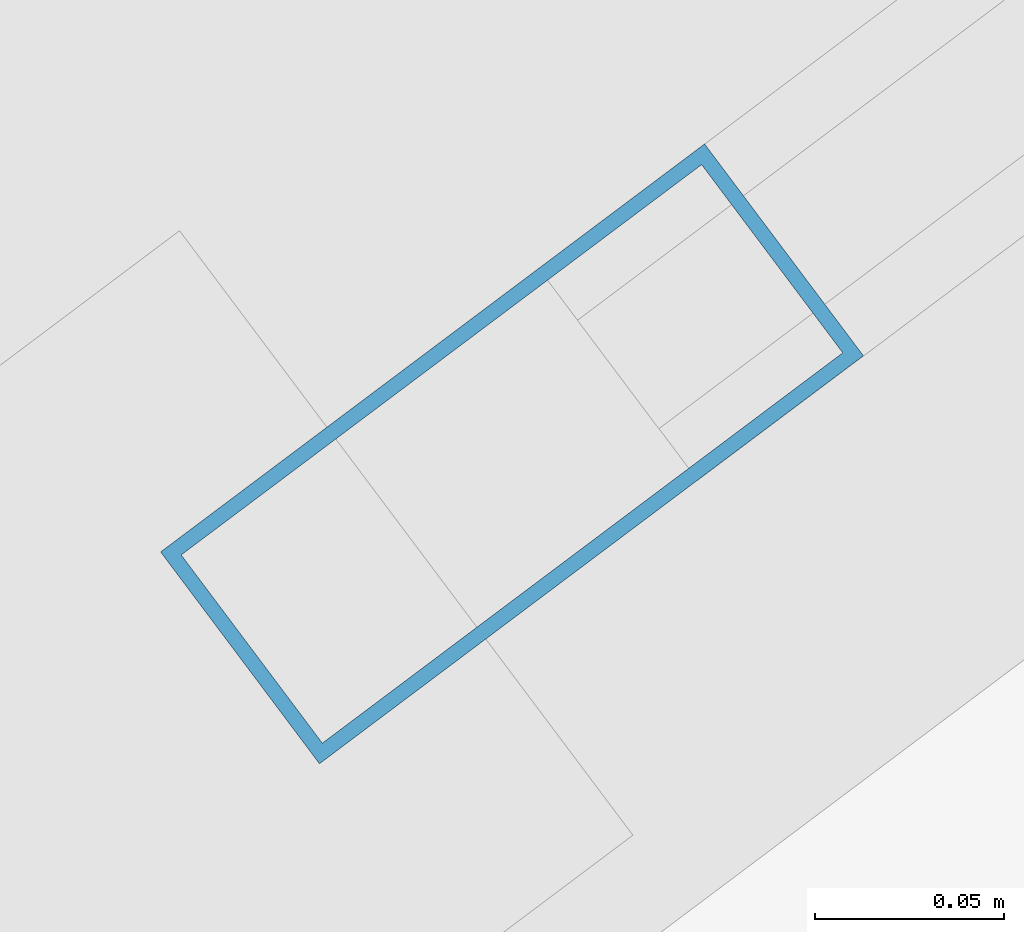
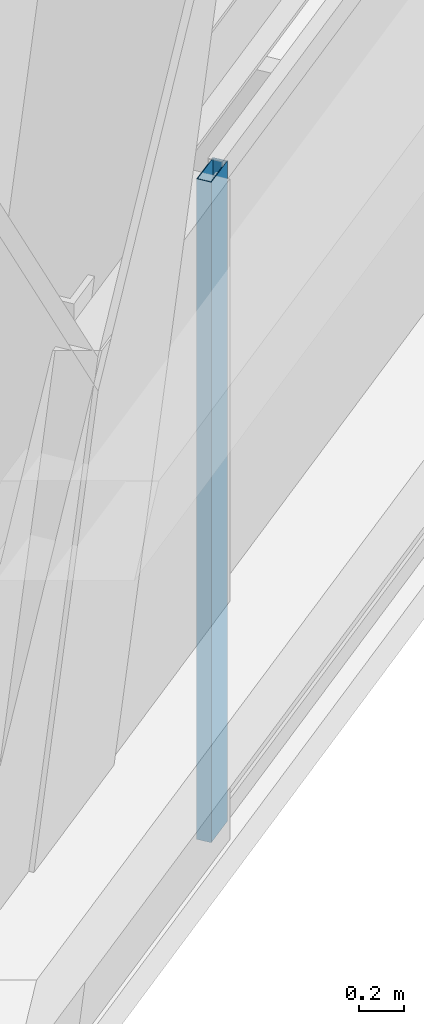
# One storey, part 31 of 55: 1 member, 1 element without a shape of its own.
"""IFC4 building model written with IfcOpenShell, lengths in metres."""

from ifc_helpers import new_model, si_unit, direction, frame, origin, origin_2d, place, context, subcontext, project, spatial, hollow_rectangle, extrude, material, material_profile, profile_set, type_object, element, aggregate, save


model = new_model("IFC4")

# Units and contexts
model_context = context("Model", 3, precision=1e-05, world=origin(), true_north=direction((0.0, 1.0)))
body_context = subcontext(model_context, "Body", "Model", "MODEL_VIEW")
ifc_project = project(units=[si_unit("LENGTHUNIT", "METRE"), si_unit("AREAUNIT", "SQUARE_METRE"), si_unit("VOLUMEUNIT", "CUBIC_METRE"), si_unit("PLANEANGLEUNIT", "RADIAN"), si_unit("MASSUNIT", "GRAM", prefix="KILO")], contexts=[model_context])

# Site, building, storey
site_placement = place(None, origin())
site = spatial("IfcSite", under=ifc_project, at=site_placement, CompositionType="ELEMENT")
building_placement = place(site_placement, origin())
building = spatial("IfcBuilding", under=site, at=building_placement, Name="Tashvorn Skyway Center", CompositionType="ELEMENT")
storey_placement = place(building_placement, frame((0.0, 0.0, 178.300048828125)))
storey = spatial("IfcBuildingStorey", under=building, at=storey_placement, Name="L48", CompositionType="ELEMENT", Elevation=178.300048828125)

# Curtain wall, member
ifc_material = material(Name="Thermally broken bronze-anodized aluminium 6063-T6", Category="aluminium")
curtain_wall_type = type_object("IfcCurtainWallType", Name="CW-CW-Z4", PredefinedType="NOTDEFINED", material=ifc_material)
curtain_wall_placement = place(storey_placement, origin())
curtain_wall = element("IfcCurtainWall", 1, at=curtain_wall_placement, inside=storey, type_object=curtain_wall_type, Name="Tower 2 L48 South Unitised Curtain Wall Glazing Group 2", PredefinedType="NOTDEFINED")
ifc_material_profile = material_profile(ifc_material, hollow_rectangle(XDim=0.070068359375, YDim=0.179931640625, WallThickness=0.00390625, at=origin_2d()), Name="ALU-MULL-70x180")
ifc_profile_set = profile_set([ifc_material_profile], Name="Thermally broken bronze-anodized aluminium 6063-T6")
member_type = type_object("IfcMemberType", Name="CWM-CW-Z4", PredefinedType="MULLION", material=ifc_profile_set)
member_placement = place(storey_placement, frame((120.2080078125, 15.680908203125, 0.0), z_axis=(0.0, 0.0, 1.0), x_axis=(0.600000000002, -0.799999999998, 0.0)))
member = element("IfcMember", 2, at=member_placement, type_object=member_type, Name="CW-Z4 mullion 2", PredefinedType="MULLION", context=body_context, shape_type="SweptSolid", body=[
    extrude(hollow_rectangle(XDim=0.070068359375, YDim=0.179931640625, WallThickness=0.00390625, at=origin_2d()), origin(), (0.0, 0.0, 1.0), 3.550048828125),
])
aggregate(curtain_wall, [member])

save(model, "model.ifc")
